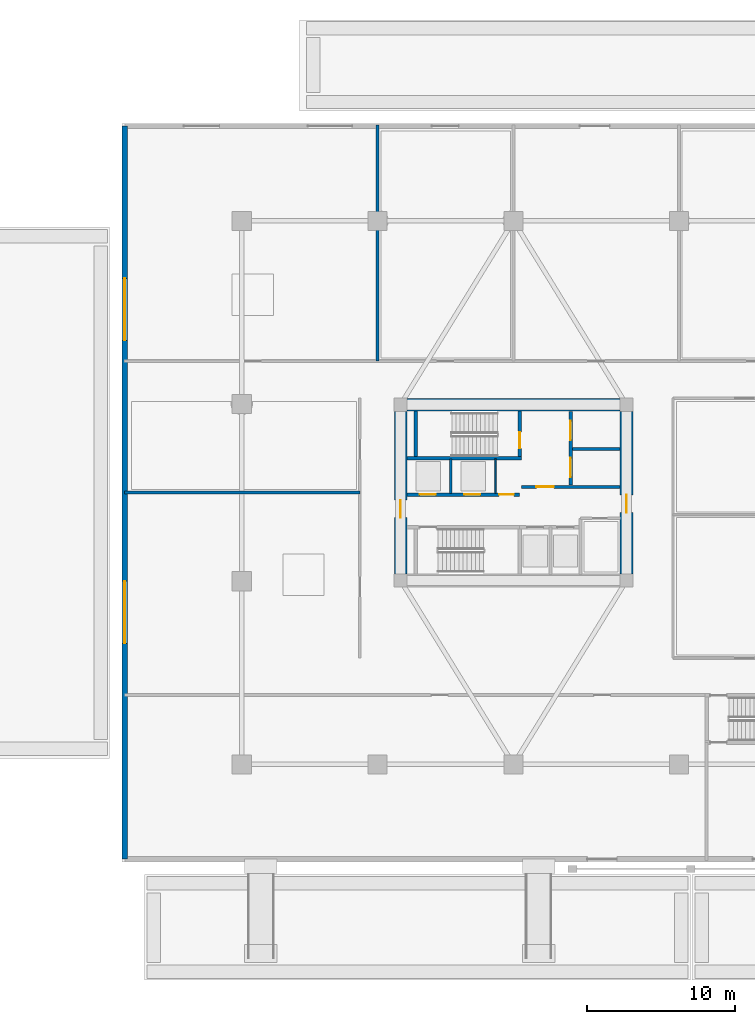
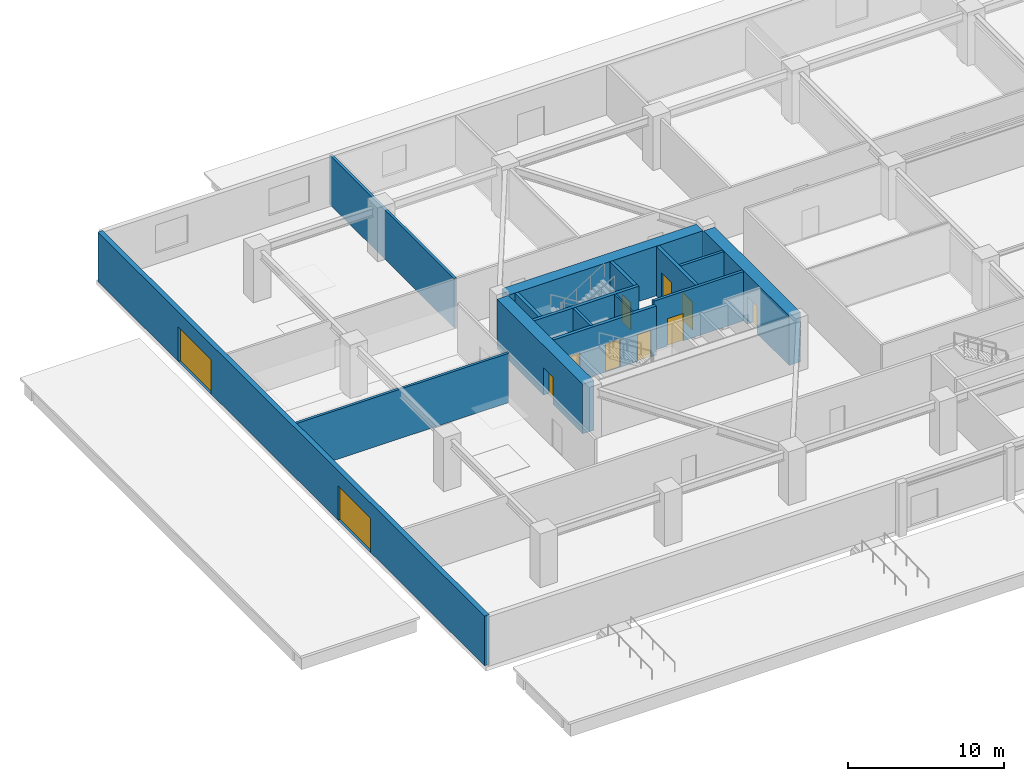
# One storey, part 6 of 22: 15 walls, 11 doors, 11 openings.
"""IFC4 building model written with IfcOpenShell, lengths in metres."""

from ifc_helpers import new_model, si_unit, direction, frame, frame_2d, origin, place, context, subcontext, project, spatial, rectangle, extrude, source, transform, mapped, material, layer, layer_set, type_object, type_shapes, element, fill, save


model = new_model("IFC4")

# Units and contexts
model_context = context("Model", 3, precision=1e-05, world=origin(), true_north=direction((0.0, 1.0)))
body_context = subcontext(model_context, "Body", "Model", "MODEL_VIEW")
ifc_project = project(units=[si_unit("LENGTHUNIT", "METRE"), si_unit("AREAUNIT", "SQUARE_METRE"), si_unit("VOLUMEUNIT", "CUBIC_METRE"), si_unit("PLANEANGLEUNIT", "RADIAN"), si_unit("MASSUNIT", "GRAM", prefix="KILO")], contexts=[model_context])

# Site, building, storey
site_placement = place(None, origin())
site = spatial("IfcSite", under=ifc_project, at=site_placement, CompositionType="ELEMENT")
building_placement = place(site_placement, origin())
building = spatial("IfcBuilding", under=site, at=building_placement, Name="Norrkilde Senior Care Towers", CompositionType="ELEMENT")
storey_placement = place(building_placement, origin())
storey = spatial("IfcBuildingStorey", under=building, at=storey_placement, Name="L00", CompositionType="ELEMENT", Elevation=0.0)

# Wall
ifc_material_1 = material(Name="Concrete C60/75", Category="concrete")
ifc_layer_1 = layer(ifc_material_1, 0.85009765625)
ifc_layer_set_1 = layer_set([ifc_layer_1], Name="Concrete C60/75")
wall_type_1 = type_object("IfcWallType", Name="Core Shear Wall Z1 850", PredefinedType="SHEAR", material=ifc_layer_set_1)
shared_shape_1 = source(origin(), body_context, "Body", "SweptSolid", [
    extrude(rectangle(XDim=14.39990234375, YDim=0.85009765625, at=frame_2d((7.199951171875, 0.0))), origin(), (0.0, 0.0, 1.0), 3.8798828125),
])
wall_1_placement = place(storey_placement, frame((-35.199951171875, 5.949951171875, 0.0), z_axis=(0.0, 0.0, 1.0), x_axis=(1.0, 0.0, 0.0)))
element("IfcWall", 1, at=wall_1_placement, inside=storey, type_object=wall_type_1, Name="L00 Core W North Shear Wall", PredefinedType="SHEAR", context=body_context, shape_type="MappedRepresentation", body=[
    mapped(shared_shape_1, transform((0.0, 0.0, 0.0), x_axis=(1.0, 0.0, 0.0), y_axis=(0.0, 1.0, 0.0), z_axis=(0.0, 0.0, 1.0), scale=1.0)),
])

# Wall, opening, door
shared_shape_2 = source(origin(), body_context, "Body", "SweptSolid", [
    extrude(rectangle(XDim=11.0, YDim=0.85009765625, at=frame_2d((5.5, 0.0))), origin(), (0.0, 0.0, 1.0), 3.8798828125),
])
type_shapes(wall_type_1, [shared_shape_1, shared_shape_2])
wall_2_placement = place(storey_placement, frame((-35.64990234375, -5.5, 0.0), z_axis=(0.0, 0.0, 1.0), x_axis=(0.0, 1.0, 0.0)))
wall_2 = element("IfcWall", 2, at=wall_2_placement, inside=storey, type_object=wall_type_1, Name="L00 Core W West Shear Wall", PredefinedType="SHEAR", context=body_context, shape_type="MappedRepresentation", body=[
    mapped(shared_shape_2, transform((0.0, 0.0, 0.0), x_axis=(1.0, 0.0, 0.0), y_axis=(0.0, 1.0, 0.0), z_axis=(0.0, 0.0, 1.0), scale=1.0)),
])
opening_1_placement = place(wall_2_placement, frame((3.800048828125, 0.0, 0.0)))
opening_1 = element("IfcOpeningElement", 3, at=opening_1_placement, cuts=wall_2, Name="Opening D-04", PredefinedType="OPENING", context=body_context, shape_type="SweptSolid", body=[
    extrude(rectangle(XDim=1.199951171875, YDim=2.14990234375, at=frame_2d((0.60009765625, 1.074951171875))), frame((0.0, 0.43505859375, 0.0), z_axis=(0.0, -1.0, 0.0), x_axis=(1.0, 0.0, 0.0)), (0.0, 0.0, 1.0), 0.8701171875),
])
ifc_material_2 = material(Name="Galvanised Painted Steel", Category="steel")
door_type_1 = type_object("IfcDoorType", Name="Firefighting Lobby Fire Door 1200x2150", OperationType="NOTDEFINED", PredefinedType="DOOR", material=ifc_material_2)
shared_shape_3 = source(origin(), body_context, "Body", "SweptSolid", [
    extrude(rectangle(XDim=1.199951171875, YDim=2.14990234375, at=frame_2d((0.60009765625, 1.074951171875))), frame((0.0, 0.02490234375, 0.0), z_axis=(0.0, -1.0, 0.0), x_axis=(1.0, 0.0, 0.0)), (0.0, 0.0, 1.0), 0.050048828125),
])
type_shapes(door_type_1, [shared_shape_3])
door_1_placement = place(opening_1_placement, frame((1.199951171875, 0.0, 0.0), z_axis=(0.0, 0.0, 1.0), x_axis=(-1.0, 0.0, 0.0)))
door_1 = element("IfcDoor", 4, at=door_1_placement, inside=storey, type_object=door_type_1, Name="L00 Core W West Portal Door", OperationType="SINGLE_SWING_LEFT", OverallHeight=2.14990234375, OverallWidth=1.199951171875, PredefinedType="DOOR", context=body_context, shape_type="MappedRepresentation", body=[
    mapped(shared_shape_3, transform((0.0, 0.0, 0.0), x_axis=(1.0, 0.0, 0.0), y_axis=(0.0, 1.0, 0.0), z_axis=(0.0, 0.0, 1.0), scale=1.0)),
])
fill(opening_1, door_1)

wall_3_placement = place(storey_placement, frame((-20.35009765625, 5.5, 0.0), z_axis=(0.0, 0.0, 1.0), x_axis=(0.0, -1.0, 0.0)))
wall_3 = element("IfcWall", 5, at=wall_3_placement, inside=storey, type_object=wall_type_1, Name="L00 Core W East Shear Wall", PredefinedType="SHEAR", context=body_context, shape_type="MappedRepresentation", body=[
    mapped(shared_shape_2, transform((0.0, 0.0, 0.0), x_axis=(1.0, 0.0, 0.0), y_axis=(0.0, 1.0, 0.0), z_axis=(0.0, 0.0, 1.0), scale=1.0)),
])
opening_2_placement = place(wall_3_placement, frame((5.64990234375, 0.0, 0.0)))
opening_2 = element("IfcOpeningElement", 6, at=opening_2_placement, cuts=wall_3, Name="Opening D-04", PredefinedType="OPENING", context=body_context, shape_type="SweptSolid", body=[
    extrude(rectangle(XDim=1.199951171875, YDim=2.14990234375, at=frame_2d((0.60009765625, 1.074951171875))), frame((0.0, 0.43505859375, 0.0), z_axis=(0.0, -1.0, 0.0), x_axis=(1.0, 0.0, 0.0)), (0.0, 0.0, 1.0), 0.8701171875),
])
door_2_placement = place(opening_2_placement, frame((1.199951171875, 0.0, 0.0), z_axis=(0.0, 0.0, 1.0), x_axis=(-1.0, 0.0, 0.0)))
door_2 = element("IfcDoor", 7, at=door_2_placement, inside=storey, type_object=door_type_1, Name="L00 Core W East Portal Door", OperationType="SINGLE_SWING_RIGHT", OverallHeight=2.14990234375, OverallWidth=1.199951171875, PredefinedType="DOOR", context=body_context, shape_type="MappedRepresentation", body=[
    mapped(shared_shape_3, transform((0.0, 0.0, 0.0), x_axis=(1.0, 0.0, 0.0), y_axis=(0.0, 1.0, 0.0), z_axis=(0.0, 0.0, 1.0), scale=1.0)),
])
fill(opening_2, door_2)

# Wall, openings, doors
ifc_material_3 = material(Name="Precast concrete C45/55", Category="concrete")
ifc_layer_2 = layer(ifc_material_3, 0.360107421875)
ifc_layer_set_2 = layer_set([ifc_layer_2], Name="Precast concrete C45/55")
wall_type_2 = type_object("IfcWallType", Name="Podium Facade Wall 360", PredefinedType="SOLIDWALL", material=ifc_layer_set_2)
shared_shape_4 = source(origin(), body_context, "Body", "SweptSolid", [
    extrude(rectangle(XDim=49.64013671875, YDim=0.360107421875, at=frame_2d((24.820068359375, 0.0))), origin(), (0.0, 0.0, 1.0), 3.8798828125),
])
type_shapes(wall_type_2, [shared_shape_4])
wall_4_placement = place(storey_placement, frame((-54.320068359375, -24.820068359375, 0.0), z_axis=(0.0, 0.0, 1.0), x_axis=(0.0, 1.0, 0.0)))
wall_4 = element("IfcWall", 8, at=wall_4_placement, inside=storey, type_object=wall_type_2, Name="L00 Podium W Facade Wall", PredefinedType="SOLIDWALL", context=body_context, shape_type="MappedRepresentation", body=[
    mapped(shared_shape_4, transform((0.0, 0.0, 0.0), x_axis=(1.0, 0.0, 0.0), y_axis=(0.0, 1.0, 0.0), z_axis=(0.0, 0.0, 1.0), scale=1.0)),
])
opening_3_placement = place(wall_4_placement, frame((14.6201171875, 0.0, 0.0)))
opening_3 = element("IfcOpeningElement", 9, at=opening_3_placement, cuts=wall_4, Name="Opening VG-02", PredefinedType="OPENING", context=body_context, shape_type="SweptSolid", body=[
    extrude(rectangle(XDim=4.199951171875, YDim=2.699951171875, at=frame_2d((2.10009765625, 1.35009765625))), frame((0.0, 0.18994140625, 0.0), z_axis=(0.0, -1.0, 0.0), x_axis=(1.0, 0.0, 0.0)), (0.0, 0.0, 1.0), 0.380126953125),
])
opening_4_placement = place(wall_4_placement, frame((35.1201171875, 0.0, 0.0)))
opening_4 = element("IfcOpeningElement", 10, at=opening_4_placement, cuts=wall_4, Name="Opening VG-02", PredefinedType="OPENING", context=body_context, shape_type="SweptSolid", body=[
    extrude(rectangle(XDim=4.199951171875, YDim=2.699951171875, at=frame_2d((2.10009765625, 1.35009765625))), frame((0.0, 0.18994140625, 0.0), z_axis=(0.0, -1.0, 0.0), x_axis=(1.0, 0.0, 0.0)), (0.0, 0.0, 1.0), 0.380126953125),
])
door_type_2 = type_object("IfcDoorType", Name="Service Bay Shutter Gate 4200x2700", OperationType="NOTDEFINED", PredefinedType="GATE", material=ifc_material_2)
shared_shape_5 = source(origin(), body_context, "Body", "SweptSolid", [
    extrude(rectangle(XDim=4.199951171875, YDim=2.699951171875, at=frame_2d((2.10009765625, 1.35009765625))), frame((0.0, 0.02490234375, 0.0), z_axis=(0.0, -1.0, 0.0), x_axis=(1.0, 0.0, 0.0)), (0.0, 0.0, 1.0), 0.050048828125),
])
type_shapes(door_type_2, [shared_shape_5])
door_3_placement = place(opening_3_placement, origin())
door_3 = element("IfcDoor", 11, at=door_3_placement, inside=storey, type_object=door_type_2, Name="L00 Ambulance Bay Gate 1", OperationType="ROLLINGUP", OverallHeight=2.699951171875, OverallWidth=4.199951171875, PredefinedType="GATE", context=body_context, shape_type="MappedRepresentation", body=[
    mapped(shared_shape_5, transform((0.0, 0.0, 0.0), x_axis=(1.0, 0.0, 0.0), y_axis=(0.0, 1.0, 0.0), z_axis=(0.0, 0.0, 1.0), scale=1.0)),
])
fill(opening_3, door_3)
door_4_placement = place(opening_4_placement, origin())
door_4 = element("IfcDoor", 12, at=door_4_placement, inside=storey, type_object=door_type_2, Name="L00 Ambulance Bay Gate 2", OperationType="ROLLINGUP", OverallHeight=2.699951171875, OverallWidth=4.199951171875, PredefinedType="GATE", context=body_context, shape_type="MappedRepresentation", body=[
    mapped(shared_shape_5, transform((0.0, 0.0, 0.0), x_axis=(1.0, 0.0, 0.0), y_axis=(0.0, 1.0, 0.0), z_axis=(0.0, 0.0, 1.0), scale=1.0)),
])
fill(opening_4, door_4)

# Walls
ifc_material_4 = material(Name="Concrete C45/55", Category="concrete")
ifc_layer_3 = layer(ifc_material_4, 0.239990234375)
ifc_layer_set_3 = layer_set([ifc_layer_3], Name="Concrete C45/55")
wall_type_3 = type_object("IfcWallType", Name="Shaft and Stair Enclosure Wall 240", PredefinedType="PARTITIONING", material=ifc_layer_set_3)
shared_shape_6 = source(origin(), body_context, "Body", "SweptSolid", [
    extrude(rectangle(XDim=7.76513671875, YDim=0.239990234375, at=frame_2d((3.882568359375, 0.0))), origin(), (0.0, 0.0, 1.0), 3.8798828125),
])
wall_5_placement = place(storey_placement, frame((-35.22509765625, 2.330078125, 0.0), z_axis=(0.0, 0.0, 1.0), x_axis=(1.0, 0.0, 0.0)))
element("IfcWall", 13, at=wall_5_placement, inside=storey, type_object=wall_type_3, Name="WL-INT-L00-W-ST1S", PredefinedType="PARTITIONING", context=body_context, shape_type="MappedRepresentation", body=[
    mapped(shared_shape_6, transform((0.0, 0.0, 0.0), x_axis=(1.0, 0.0, 0.0), y_axis=(0.0, 1.0, 0.0), z_axis=(0.0, 0.0, 1.0), scale=1.0)),
])
shared_shape_7 = source(origin(), body_context, "Body", "SweptSolid", [
    extrude(rectangle(XDim=3.074951171875, YDim=0.239990234375, at=frame_2d((1.53759765625, 0.0))), origin(), (0.0, 0.0, 1.0), 3.8798828125),
])
type_shapes(wall_type_3, [shared_shape_6, shared_shape_7])
wall_6_placement = place(storey_placement, frame((-34.6201171875, 2.449951171875, 0.0), z_axis=(0.0, 0.0, 1.0), x_axis=(0.0, 1.0, 0.0)))
element("IfcWall", 14, at=wall_6_placement, inside=storey, type_object=wall_type_3, Name="WL-INT-L00-W-ST1W", PredefinedType="PARTITIONING", context=body_context, shape_type="MappedRepresentation", body=[
    mapped(shared_shape_7, transform((0.0, 0.0, 0.0), x_axis=(1.0, 0.0, 0.0), y_axis=(0.0, 1.0, 0.0), z_axis=(0.0, 0.0, 1.0), scale=1.0)),
])

# Wall, opening, door
wall_7_placement = place(storey_placement, frame((-27.580078125, 2.449951171875, 0.0), z_axis=(0.0, 0.0, 1.0), x_axis=(0.0, 1.0, 0.0)))
wall_7 = element("IfcWall", 15, at=wall_7_placement, inside=storey, type_object=wall_type_3, Name="WL-INT-L00-W-ST1E", PredefinedType="PARTITIONING", context=body_context, shape_type="MappedRepresentation", body=[
    mapped(shared_shape_7, transform((0.0, 0.0, 0.0), x_axis=(1.0, 0.0, 0.0), y_axis=(0.0, 1.0, 0.0), z_axis=(0.0, 0.0, 1.0), scale=1.0)),
])
opening_5_placement = place(wall_7_placement, frame((0.550048828125, 0.0, 0.0)))
opening_5 = element("IfcOpeningElement", 16, at=opening_5_placement, cuts=wall_7, Name="Opening D-03", PredefinedType="OPENING", context=body_context, shape_type="SweptSolid", body=[
    extrude(rectangle(XDim=1.10009765625, YDim=2.14990234375, at=frame_2d((0.550048828125, 1.074951171875))), frame((0.0, 0.1298828125, 0.0), z_axis=(0.0, -1.0, 0.0), x_axis=(1.0, 0.0, 0.0)), (0.0, 0.0, 1.0), 0.260009765625),
])
door_type_3 = type_object("IfcDoorType", Name="Stairwell Protected Fire Door 1100x2150", OperationType="NOTDEFINED", PredefinedType="DOOR", material=ifc_material_2)
shared_shape_8 = source(origin(), body_context, "Body", "SweptSolid", [
    extrude(rectangle(XDim=1.10009765625, YDim=2.14990234375, at=frame_2d((0.550048828125, 1.074951171875))), frame((0.0, 0.02490234375, 0.0), z_axis=(0.0, -1.0, 0.0), x_axis=(1.0, 0.0, 0.0)), (0.0, 0.0, 1.0), 0.050048828125),
])
type_shapes(door_type_3, [shared_shape_8])
door_5_placement = place(opening_5_placement, origin())
door_5 = element("IfcDoor", 17, at=door_5_placement, inside=storey, type_object=door_type_3, Name="L00 Stair W1 Fire Door", OperationType="SINGLE_SWING_LEFT", OverallHeight=2.14990234375, OverallWidth=1.10009765625, PredefinedType="DOOR", context=body_context, shape_type="MappedRepresentation", body=[
    mapped(shared_shape_8, transform((0.0, 0.0, 0.0), x_axis=(1.0, 0.0, 0.0), y_axis=(0.0, 1.0, 0.0), z_axis=(0.0, 0.0, 1.0), scale=1.0)),
])
fill(opening_5, door_5)

# Wall, openings, doors
ifc_layer_4 = layer(ifc_material_4, 0.239990234375)
ifc_layer_set_4 = layer_set([ifc_layer_4], Name="Concrete C45/55")
wall_type_4 = type_object("IfcWallType", Name="Lift and Plant Rated Enclosure Partition 240", PredefinedType="PARTITIONING", material=ifc_layer_set_4)
shared_shape_9 = source(origin(), body_context, "Body", "SweptSolid", [
    extrude(rectangle(XDim=5.0, YDim=0.239990234375, at=frame_2d((2.5, 0.0))), origin(), (0.0, 0.0, 1.0), 3.864990234375),
])
wall_8_placement = place(storey_placement, frame((-24.139892578125, 0.5, 0.0), z_axis=(0.0, 0.0, 1.0), x_axis=(0.0, 1.0, 0.0)))
wall_8 = element("IfcWall", 18, at=wall_8_placement, inside=storey, type_object=wall_type_4, Name="WL-INT-L00-W-FFLE", PredefinedType="PARTITIONING", context=body_context, shape_type="MappedRepresentation", body=[
    mapped(shared_shape_9, transform((0.0, 0.0, 0.0), x_axis=(1.0, 0.0, 0.0), y_axis=(0.0, 1.0, 0.0), z_axis=(0.0, 0.0, 1.0), scale=1.0)),
])
opening_6_placement = place(wall_8_placement, frame((3.050048828125, 0.0, 0.0)))
opening_6 = element("IfcOpeningElement", 19, at=opening_6_placement, cuts=wall_8, Name="Opening LD-02", PredefinedType="OPENING", context=body_context, shape_type="SweptSolid", body=[
    extrude(rectangle(XDim=1.300048828125, YDim=2.199951171875, at=frame_2d((0.64990234375, 1.10009765625))), frame((0.0, 0.1298828125, 0.0), z_axis=(0.0, -1.0, 0.0), x_axis=(1.0, 0.0, 0.0)), (0.0, 0.0, 1.0), 0.260009765625),
])
opening_7_placement = place(wall_8_placement, frame((0.550048828125, 0.0, 0.0)))
opening_7 = element("IfcOpeningElement", 20, at=opening_7_placement, cuts=wall_8, Name="Opening LD-02", PredefinedType="OPENING", context=body_context, shape_type="SweptSolid", body=[
    extrude(rectangle(XDim=1.300048828125, YDim=2.199951171875, at=frame_2d((0.64990234375, 1.10009765625))), frame((0.0, 0.1298828125, 0.0), z_axis=(0.0, -1.0, 0.0), x_axis=(1.0, 0.0, 0.0)), (0.0, 0.0, 1.0), 0.260009765625),
])
ifc_material_5 = material(Name="Stainless Steel", Category="steel")
door_type_4 = type_object("IfcDoorType", Name="Stretcher and FFL Landing Sliding Door 1300x2200", OperationType="NOTDEFINED", PredefinedType="DOOR", material=ifc_material_5)
shared_shape_10 = source(origin(), body_context, "Body", "SweptSolid", [
    extrude(rectangle(XDim=1.300048828125, YDim=2.199951171875, at=frame_2d((0.64990234375, 1.10009765625))), frame((0.0, 0.02490234375, 0.0), z_axis=(0.0, -1.0, 0.0), x_axis=(1.0, 0.0, 0.0)), (0.0, 0.0, 1.0), 0.050048828125),
])
type_shapes(door_type_4, [shared_shape_10])
door_6_placement = place(opening_6_placement, origin())
door_6 = element("IfcDoor", 21, at=door_6_placement, inside=storey, type_object=door_type_4, Name="L00 Firefighting Lift W1 Landing Door", OperationType="SLIDING_TO_LEFT", OverallHeight=2.199951171875, OverallWidth=1.300048828125, PredefinedType="DOOR", context=body_context, shape_type="MappedRepresentation", body=[
    mapped(shared_shape_10, transform((0.0, 0.0, 0.0), x_axis=(1.0, 0.0, 0.0), y_axis=(0.0, 1.0, 0.0), z_axis=(0.0, 0.0, 1.0), scale=1.0)),
])
fill(opening_6, door_6)
door_7_placement = place(opening_7_placement, origin())
door_7 = element("IfcDoor", 22, at=door_7_placement, inside=storey, type_object=door_type_4, Name="L00 Stretcher Lift W1 Landing Door", OperationType="SLIDING_TO_RIGHT", OverallHeight=2.199951171875, OverallWidth=1.300048828125, PredefinedType="DOOR", context=body_context, shape_type="MappedRepresentation", body=[
    mapped(shared_shape_10, transform((0.0, 0.0, 0.0), x_axis=(1.0, 0.0, 0.0), y_axis=(0.0, 1.0, 0.0), z_axis=(0.0, 0.0, 1.0), scale=1.0)),
])
fill(opening_7, door_7)

# Wall
ifc_layer_5 = layer(ifc_material_4, 0.199951171875)
ifc_layer_set_5 = layer_set([ifc_layer_5], Name="Concrete C45/55")
wall_type_5 = type_object("IfcWallType", Name="Shaft Division and Plant Partition 200", PredefinedType="PARTITIONING", material=ifc_layer_set_5)
shared_shape_11 = source(origin(), body_context, "Body", "SweptSolid", [
    extrude(rectangle(XDim=3.199951171875, YDim=0.199951171875, at=frame_2d((1.60009765625, 0.0))), origin(), (0.0, 0.0, 1.0), 3.864990234375),
])
wall_9_placement = place(storey_placement, frame((-24.0, 2.949951171875, 0.0), z_axis=(0.0, 0.0, 1.0), x_axis=(1.0, 0.0, 0.0)))
element("IfcWall", 23, at=wall_9_placement, inside=storey, type_object=wall_type_5, Name="WL-INT-L00-W-FFLDIV", PredefinedType="PARTITIONING", context=body_context, shape_type="MappedRepresentation", body=[
    mapped(shared_shape_11, transform((0.0, 0.0, 0.0), x_axis=(1.0, 0.0, 0.0), y_axis=(0.0, 1.0, 0.0), z_axis=(0.0, 0.0, 1.0), scale=1.0)),
])

# Wall, opening, door
ifc_layer_6 = layer(ifc_material_4, 0.2099609375)
ifc_layer_set_6 = layer_set([ifc_layer_6], Name="Concrete C45/55")
wall_type_6 = type_object("IfcWallType", Name="Firefighting Lobby Wall 210", PredefinedType="PARTITIONING", material=ifc_layer_set_6)
shared_shape_12 = source(origin(), body_context, "Body", "SweptSolid", [
    extrude(rectangle(XDim=6.659912109375, YDim=0.2099609375, at=frame_2d((3.330078125, 0.0))), origin(), (0.0, 0.0, 1.0), 3.864990234375),
])
type_shapes(wall_type_6, [shared_shape_12])
wall_10_placement = place(storey_placement, frame((-27.4599609375, 0.389892578125, 0.0), z_axis=(0.0, 0.0, 1.0), x_axis=(1.0, 0.0, 0.0)))
wall_10 = element("IfcWall", 24, at=wall_10_placement, inside=storey, type_object=wall_type_6, Name="WL-INT-L00-W-FFLS", PredefinedType="PARTITIONING", context=body_context, shape_type="MappedRepresentation", body=[
    mapped(shared_shape_12, transform((0.0, 0.0, 0.0), x_axis=(1.0, 0.0, 0.0), y_axis=(0.0, 1.0, 0.0), z_axis=(0.0, 0.0, 1.0), scale=1.0)),
])
opening_8_placement = place(wall_10_placement, frame((1.0, 0.0, 0.0)))
opening_8 = element("IfcOpeningElement", 25, at=opening_8_placement, cuts=wall_10, Name="Opening D-04", PredefinedType="OPENING", context=body_context, shape_type="SweptSolid", body=[
    extrude(rectangle(XDim=1.199951171875, YDim=2.14990234375, at=frame_2d((0.60009765625, 1.074951171875))), frame((0.0, 0.114990234375, 0.0), z_axis=(0.0, -1.0, 0.0), x_axis=(1.0, 0.0, 0.0)), (0.0, 0.0, 1.0), 0.22998046875),
])
door_8_placement = place(opening_8_placement, frame((1.199951171875, 0.0, 0.0), z_axis=(0.0, 0.0, 1.0), x_axis=(-1.0, 0.0, 0.0)))
door_8 = element("IfcDoor", 26, at=door_8_placement, inside=storey, type_object=door_type_1, Name="L00 Firefighting Lobby W Door", OperationType="SINGLE_SWING_LEFT", OverallHeight=2.14990234375, OverallWidth=1.199951171875, PredefinedType="DOOR", context=body_context, shape_type="MappedRepresentation", body=[
    mapped(shared_shape_3, transform((0.0, 0.0, 0.0), x_axis=(1.0, 0.0, 0.0), y_axis=(0.0, 1.0, 0.0), z_axis=(0.0, 0.0, 1.0), scale=1.0)),
])
fill(opening_8, door_8)

# Wall, openings, doors
shared_shape_13 = source(origin(), body_context, "Body", "SweptSolid", [
    extrude(rectangle(XDim=7.619873046875, YDim=0.239990234375, at=frame_2d((3.81005859375, 0.0))), origin(), (0.0, 0.0, 1.0), 3.864990234375),
])
type_shapes(wall_type_4, [shared_shape_9, shared_shape_13])
wall_11_placement = place(storey_placement, frame((-35.199951171875, -0.1298828125, 0.0), z_axis=(0.0, 0.0, 1.0), x_axis=(1.0, 0.0, 0.0)))
wall_11 = element("IfcWall", 27, at=wall_11_placement, inside=storey, type_object=wall_type_4, Name="WL-INT-L00-W-PKAS", PredefinedType="PARTITIONING", context=body_context, shape_type="MappedRepresentation", body=[
    mapped(shared_shape_13, transform((0.0, 0.0, 0.0), x_axis=(1.0, 0.0, 0.0), y_axis=(0.0, 1.0, 0.0), z_axis=(0.0, 0.0, 1.0), scale=1.0)),
])
opening_9_placement = place(wall_11_placement, frame((6.219970703125, 0.0, 0.0)))
opening_9 = element("IfcOpeningElement", 28, at=opening_9_placement, cuts=wall_11, Name="Opening D-10", PredefinedType="OPENING", context=body_context, shape_type="SweptSolid", body=[
    extrude(rectangle(XDim=1.0, YDim=2.10009765625, at=frame_2d((0.5, 1.050048828125))), frame((0.0, 0.1298828125, 0.0), z_axis=(0.0, -1.0, 0.0), x_axis=(1.0, 0.0, 0.0)), (0.0, 0.0, 1.0), 0.260009765625),
])
opening_10_placement = place(wall_11_placement, frame((0.85009765625, 0.0, 0.0)))
opening_10 = element("IfcOpeningElement", 29, at=opening_10_placement, cuts=wall_11, Name="Opening LD-01", PredefinedType="OPENING", context=body_context, shape_type="SweptSolid", body=[
    extrude(rectangle(XDim=1.10009765625, YDim=2.199951171875, at=frame_2d((0.550048828125, 1.10009765625))), frame((0.0, 0.1298828125, 0.0), z_axis=(0.0, -1.0, 0.0), x_axis=(1.0, 0.0, 0.0)), (0.0, 0.0, 1.0), 0.260009765625),
])
opening_11_placement = place(wall_11_placement, frame((3.85009765625, 0.0, 0.0)))
opening_11 = element("IfcOpeningElement", 30, at=opening_11_placement, cuts=wall_11, Name="Opening LD-01", PredefinedType="OPENING", context=body_context, shape_type="SweptSolid", body=[
    extrude(rectangle(XDim=1.10009765625, YDim=2.199951171875, at=frame_2d((0.550048828125, 1.10009765625))), frame((0.0, 0.1298828125, 0.0), z_axis=(0.0, -1.0, 0.0), x_axis=(1.0, 0.0, 0.0)), (0.0, 0.0, 1.0), 0.260009765625),
])
door_type_5 = type_object("IfcDoorType", Name="Plant and Riser Rated Door 1000x2100", OperationType="NOTDEFINED", PredefinedType="DOOR", material=ifc_material_2)
shared_shape_14 = source(origin(), body_context, "Body", "SweptSolid", [
    extrude(rectangle(XDim=1.0, YDim=2.10009765625, at=frame_2d((0.5, 1.050048828125))), frame((0.0, 0.02490234375, 0.0), z_axis=(0.0, -1.0, 0.0), x_axis=(1.0, 0.0, 0.0)), (0.0, 0.0, 1.0), 0.050048828125),
])
type_shapes(door_type_5, [shared_shape_14])
door_9_placement = place(opening_9_placement, frame((1.0, 0.0, 0.0), z_axis=(0.0, 0.0, 1.0), x_axis=(-1.0, 0.0, 0.0)))
door_9 = element("IfcDoor", 31, at=door_9_placement, inside=storey, type_object=door_type_5, Name="L00 Electrical Riser W Door", OperationType="SINGLE_SWING_LEFT", OverallHeight=2.10009765625, OverallWidth=1.0, PredefinedType="DOOR", context=body_context, shape_type="MappedRepresentation", body=[
    mapped(shared_shape_14, transform((0.0, 0.0, 0.0), x_axis=(1.0, 0.0, 0.0), y_axis=(0.0, 1.0, 0.0), z_axis=(0.0, 0.0, 1.0), scale=1.0)),
])
fill(opening_9, door_9)
door_type_6 = type_object("IfcDoorType", Name="Lift Landing Sliding Door 1100x2200", OperationType="NOTDEFINED", PredefinedType="DOOR", material=ifc_material_5)
shared_shape_15 = source(origin(), body_context, "Body", "SweptSolid", [
    extrude(rectangle(XDim=1.10009765625, YDim=2.199951171875, at=frame_2d((0.550048828125, 1.10009765625))), frame((0.0, 0.02490234375, 0.0), z_axis=(0.0, -1.0, 0.0), x_axis=(1.0, 0.0, 0.0)), (0.0, 0.0, 1.0), 0.050048828125),
])
type_shapes(door_type_6, [shared_shape_15])
door_10_placement = place(opening_10_placement, origin())
door_10 = element("IfcDoor", 32, at=door_10_placement, inside=storey, type_object=door_type_6, Name="L00 Passenger Lift W1 Landing Door", OperationType="SLIDING_TO_LEFT", OverallHeight=2.199951171875, OverallWidth=1.10009765625, PredefinedType="DOOR", context=body_context, shape_type="MappedRepresentation", body=[
    mapped(shared_shape_15, transform((0.0, 0.0, 0.0), x_axis=(1.0, 0.0, 0.0), y_axis=(0.0, 1.0, 0.0), z_axis=(0.0, 0.0, 1.0), scale=1.0)),
])
fill(opening_10, door_10)
door_11_placement = place(opening_11_placement, origin())
door_11 = element("IfcDoor", 33, at=door_11_placement, inside=storey, type_object=door_type_6, Name="L00 Passenger Lift W2 Landing Door", OperationType="SLIDING_TO_RIGHT", OverallHeight=2.199951171875, OverallWidth=1.10009765625, PredefinedType="DOOR", context=body_context, shape_type="MappedRepresentation", body=[
    mapped(shared_shape_15, transform((0.0, 0.0, 0.0), x_axis=(1.0, 0.0, 0.0), y_axis=(0.0, 1.0, 0.0), z_axis=(0.0, 0.0, 1.0), scale=1.0)),
])
fill(opening_11, door_11)

# Walls
ifc_material_6 = material(Name="Gypsum Acoustic Board")
ifc_layer_7 = layer(ifc_material_6, 0.114990234375)
ifc_layer_set_7 = layer_set([ifc_layer_7], Name="Gypsum Acoustic Board")
wall_type_7 = type_object("IfcWallType", Name="Internal Room Partition 115", PredefinedType="PARTITIONING", material=ifc_layer_set_7)
shared_shape_16 = source(origin(), body_context, "Body", "SweptSolid", [
    extrude(rectangle(XDim=2.330078125, YDim=0.114990234375, at=frame_2d((1.1650390625, 0.0))), origin(), (0.0, 0.0, 1.0), 3.864990234375),
])
type_shapes(wall_type_7, [shared_shape_16])
wall_12_placement = place(storey_placement, frame((-29.2099609375, -0.050048828125, 0.0), z_axis=(0.0, 0.0, 1.0), x_axis=(0.0, 1.0, 0.0)))
element("IfcWall", 34, at=wall_12_placement, inside=storey, type_object=wall_type_7, Name="WL-INT-L00-W-RISW", PredefinedType="PARTITIONING", context=body_context, shape_type="MappedRepresentation", body=[
    mapped(shared_shape_16, transform((0.0, 0.0, 0.0), x_axis=(1.0, 0.0, 0.0), y_axis=(0.0, 1.0, 0.0), z_axis=(0.0, 0.0, 1.0), scale=1.0)),
])
shared_shape_17 = source(origin(), body_context, "Body", "SweptSolid", [
    extrude(rectangle(XDim=2.330078125, YDim=0.199951171875, at=frame_2d((1.1650390625, 0.0))), origin(), (0.0, 0.0, 1.0), 3.864990234375),
])
type_shapes(wall_type_5, [shared_shape_11, shared_shape_17])
wall_13_placement = place(storey_placement, frame((-32.25, -0.050048828125, 0.0), z_axis=(0.0, 0.0, 1.0), x_axis=(0.0, 1.0, 0.0)))
element("IfcWall", 35, at=wall_13_placement, inside=storey, type_object=wall_type_5, Name="WL-INT-L00-W-PL12", PredefinedType="PARTITIONING", context=body_context, shape_type="MappedRepresentation", body=[
    mapped(shared_shape_17, transform((0.0, 0.0, 0.0), x_axis=(1.0, 0.0, 0.0), y_axis=(0.0, 1.0, 0.0), z_axis=(0.0, 0.0, 1.0), scale=1.0)),
])
ifc_layer_8 = layer(ifc_material_6, 0.18994140625)
ifc_layer_set_8 = layer_set([ifc_layer_8], Name="Gypsum Acoustic Board")
wall_type_8 = type_object("IfcWallType", Name="Unit Demising Acoustic Wall 190", PredefinedType="PARTITIONING", material=ifc_layer_set_8)
shared_shape_18 = source(origin(), body_context, "Body", "SweptSolid", [
    extrude(rectangle(XDim=15.9501953125, YDim=0.18994140625, at=frame_2d((7.97509765625, 0.0))), origin(), (0.0, 0.0, 1.0), 3.864990234375),
])
wall_14_placement = place(storey_placement, frame((-54.35009765625, 0.0, 0.0), z_axis=(0.0, 0.0, 1.0), x_axis=(1.0, 0.0, 0.0)))
element("IfcWall", 36, at=wall_14_placement, inside=storey, type_object=wall_type_8, Name="WL-INT-L00-POD-OWH", PredefinedType="PARTITIONING", context=body_context, shape_type="MappedRepresentation", body=[
    mapped(shared_shape_18, transform((0.0, 0.0, 0.0), x_axis=(1.0, 0.0, 0.0), y_axis=(0.0, 1.0, 0.0), z_axis=(0.0, 0.0, 1.0), scale=1.0)),
])
shared_shape_19 = source(origin(), body_context, "Body", "SweptSolid", [
    extrude(rectangle(XDim=16.0, YDim=0.18994140625, at=frame_2d((8.0, 0.0))), origin(), (0.0, 0.0, 1.0), 3.864990234375),
])
type_shapes(wall_type_8, [shared_shape_18, shared_shape_19])
wall_15_placement = place(storey_placement, frame((-37.199951171875, 8.89990234375, 0.0), z_axis=(0.0, 0.0, 1.0), x_axis=(0.0, 1.0, 0.0)))
element("IfcWall", 37, at=wall_15_placement, inside=storey, type_object=wall_type_8, Name="WL-INT-L00-POD-NPV1", PredefinedType="PARTITIONING", context=body_context, shape_type="MappedRepresentation", body=[
    mapped(shared_shape_19, transform((0.0, 0.0, 0.0), x_axis=(1.0, 0.0, 0.0), y_axis=(0.0, 1.0, 0.0), z_axis=(0.0, 0.0, 1.0), scale=1.0)),
])

save(model, "model.ifc")
